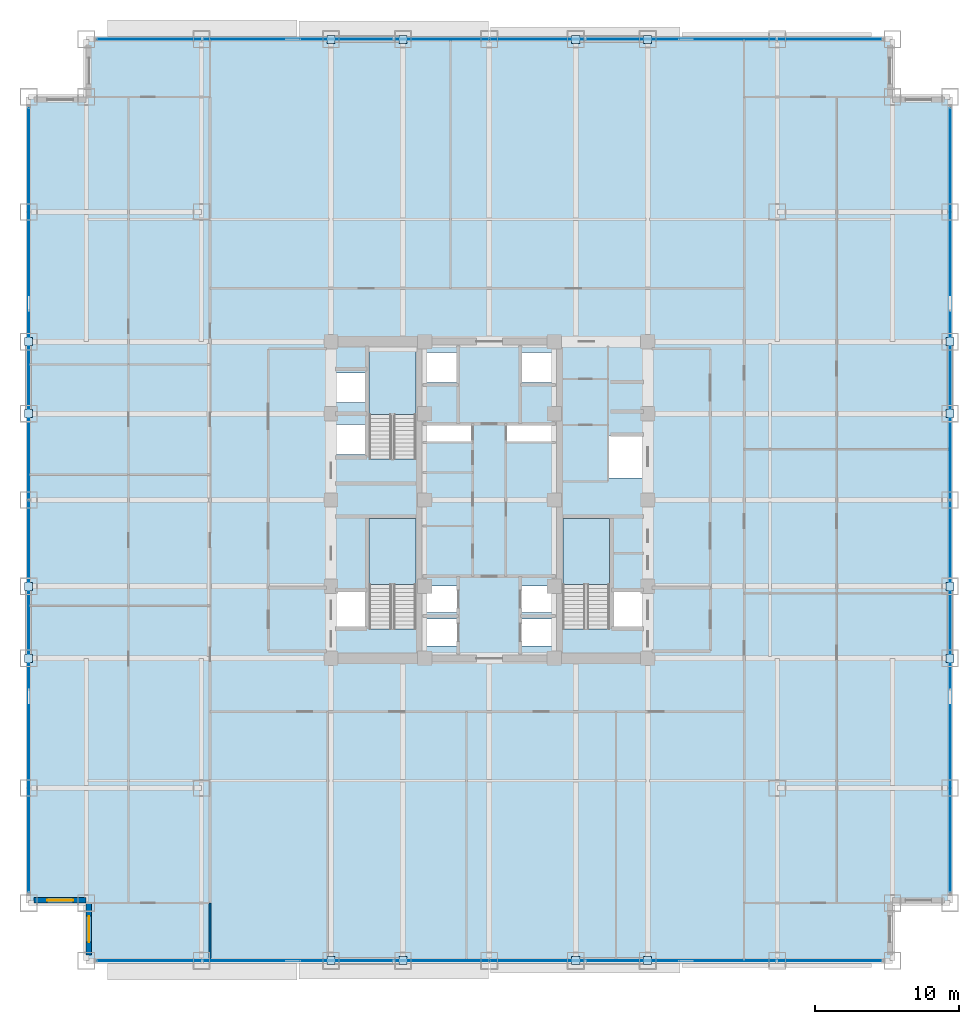
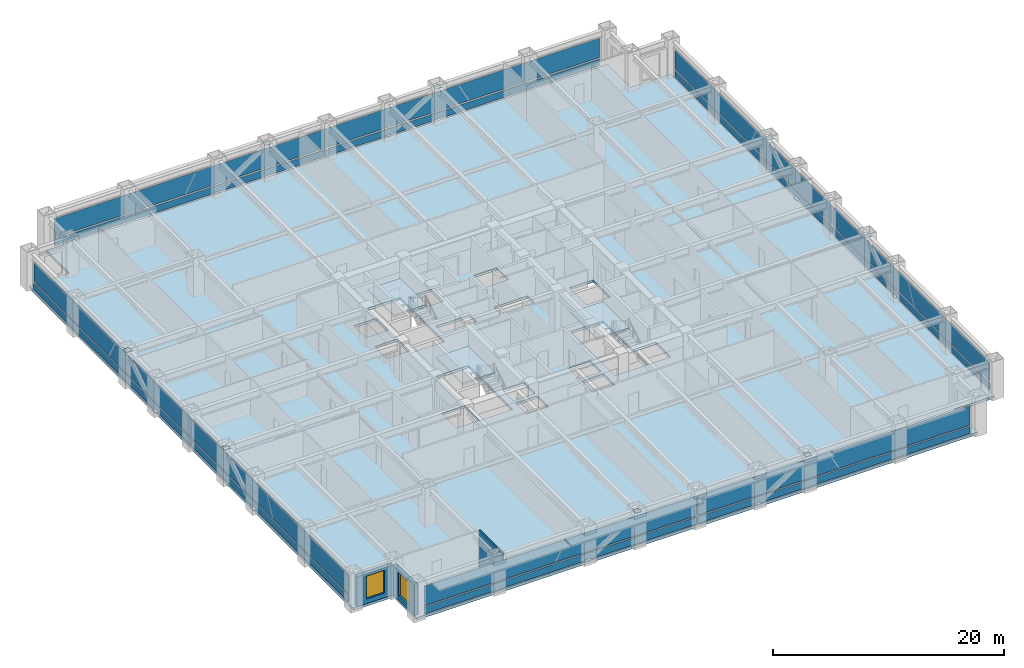
# One storey, part 22 of 32: 32 plates, 4 slabs, 3 walls, 2 windows, 2 openings, 7 elements without a shape of their own.
"""IFC4 building model written with IfcOpenShell, lengths in metres."""

from ifc_helpers import new_model, si_unit, direction, frame, frame_2d, origin, origin_2d, place, context, subcontext, project, spatial, polyline, rectangle, outline, extrude, source, transform, mapped, material, layer, layer_set, type_object, element, fill, aggregate, save


model = new_model("IFC4")

# Units and contexts
model_context = context("Model", 3, precision=1e-05, world=origin(), true_north=direction((0.0, 1.0)))
body_context = subcontext(model_context, "Body", "Model", "MODEL_VIEW")
ifc_project = project(units=[si_unit("LENGTHUNIT", "METRE"), si_unit("AREAUNIT", "SQUARE_METRE"), si_unit("VOLUMEUNIT", "CUBIC_METRE"), si_unit("PLANEANGLEUNIT", "RADIAN"), si_unit("MASSUNIT", "GRAM", prefix="KILO")], contexts=[model_context])

# Site, building, storey
site_placement = place(None, origin())
site = spatial("IfcSite", under=ifc_project, at=site_placement, CompositionType="ELEMENT")
building_placement = place(site_placement, origin())
building = spatial("IfcBuilding", under=site, at=building_placement, Name="Khorayat Bourse Tower", CompositionType="ELEMENT")
storey_placement = place(building_placement, frame((0.0, 0.0, 136.5)))
storey = spatial("IfcBuildingStorey", under=building, at=storey_placement, Name="L31", CompositionType="ELEMENT", Elevation=136.5)

# Stair, slab
ifc_material_1 = material(Name="Concrete C40/50", Category="concrete")
stair_type = type_object("IfcStairType", Name="STR-CORE-1550", PredefinedType="HALF_TURN_STAIR", material=ifc_material_1)
stair_1_placement = place(storey_placement, origin())
stair_1 = element("IfcStair", 1, at=stair_1_placement, inside=storey, type_object=stair_type, Name="L31 Exit Stair ST-1", PredefinedType="HALF_TURN_STAIR")
ifc_layer_1 = layer(ifc_material_1, 0.199951171875)
ifc_layer_set_1 = layer_set([ifc_layer_1], Name="Concrete C40/50")
slab_type_1 = type_object("IfcSlabType", Name="SLB-LANDING-200", PredefinedType="LANDING", material=ifc_layer_set_1)
slab_1_placement = place(storey_placement, frame((0.0, 0.0, 1.85009765625)))
slab_1 = element("IfcSlab", 2, at=slab_1_placement, type_object=slab_type_1, Name="ST-1 landing 1", PredefinedType="LANDING", context=body_context, shape_type="SweptSolid", body=[
    extrude(outline(polyline([(-5.10009765625, -5.8701171875), (-5.10009765625, -1.300048828125), (-8.35009765625, -1.300048828125), (-8.35009765625, -5.8701171875), (-5.10009765625, -5.8701171875)])), origin(), (0.0, 0.0, 1.0), 0.199951171875),
])
aggregate(stair_1, [slab_1])

stair_2_placement = place(storey_placement, origin())
stair_2 = element("IfcStair", 3, at=stair_2_placement, inside=storey, type_object=stair_type, Name="L31 Exit Stair ST-2", PredefinedType="HALF_TURN_STAIR")
slab_2_placement = place(storey_placement, frame((0.0, 0.0, 1.85009765625)))
slab_2 = element("IfcSlab", 4, at=slab_2_placement, type_object=slab_type_1, Name="ST-2 landing 1", PredefinedType="LANDING", context=body_context, shape_type="SweptSolid", body=[
    extrude(outline(polyline([(-5.10009765625, 5.929931640625), (-5.10009765625, 10.5), (-8.35009765625, 10.5), (-8.35009765625, 5.929931640625), (-5.10009765625, 5.929931640625)])), origin(), (0.0, 0.0, 1.0), 0.199951171875),
])
aggregate(stair_2, [slab_2])

stair_3_placement = place(storey_placement, origin())
stair_3 = element("IfcStair", 5, at=stair_3_placement, inside=storey, type_object=stair_type, Name="L31 Exit Stair ST-3", PredefinedType="HALF_TURN_STAIR")
slab_3_placement = place(storey_placement, frame((0.0, 0.0, 1.85009765625)))
slab_3 = element("IfcSlab", 6, at=slab_3_placement, type_object=slab_type_1, Name="ST-3 landing 1", PredefinedType="LANDING", context=body_context, shape_type="SweptSolid", body=[
    extrude(outline(polyline([(8.35009765625, -5.8701171875), (8.35009765625, -1.300048828125), (5.10009765625, -1.300048828125), (5.10009765625, -5.8701171875), (8.35009765625, -5.8701171875)])), origin(), (0.0, 0.0, 1.0), 0.199951171875),
])
aggregate(stair_3, [slab_3])

# Slab
ifc_layer_2 = layer(ifc_material_1, 0.260009765625)
ifc_layer_set_2 = layer_set([ifc_layer_2], Name="Concrete C40/50")
slab_type_2 = type_object("IfcSlabType", Name="SLB-TRADE-260", PredefinedType="FLOOR", material=ifc_layer_set_2)
slab_4_placement = place(storey_placement, frame((0.0, 0.0, -0.260009765625)))
element("IfcSlab", 7, at=slab_4_placement, inside=storey, type_object=slab_type_2, Name="L31 Main Floor Slab", PredefinedType="FLOOR", context=body_context, shape_type="SweptSolid", body=[
    extrude(outline(polyline([(-28.0, -32.0), (28.0, -32.0), (28.0, -28.0), (32.0, -28.0), (32.0, 28.0), (28.0, 28.0), (28.0, 32.0), (-28.0, 32.0), (-28.0, 28.0), (-32.0, 28.0), (-32.0, -28.0), (-28.0, -28.0), (-28.0, -32.0)]), holes=[polyline([(-8.35009765625, -8.945068359375), (-5.10009765625, -8.945068359375), (-5.10009765625, -1.300048828125), (-8.35009765625, -1.300048828125), (-8.35009765625, -8.945068359375)]), polyline([(-8.35009765625, 2.85498046875), (-5.10009765625, 2.85498046875), (-5.10009765625, 10.5), (-8.35009765625, 10.5), (-8.35009765625, 2.85498046875)]), polyline([(5.10009765625, -8.945068359375), (8.35009765625, -8.945068359375), (8.35009765625, -1.300048828125), (5.10009765625, -1.300048828125), (5.10009765625, -8.945068359375)]), polyline([(-4.3798828125, -10.1298828125), (-2.219970703125, -10.1298828125), (-2.219970703125, -8.27001953125), (-4.3798828125, -8.27001953125), (-4.3798828125, -10.1298828125)]), polyline([(2.219970703125, -10.1298828125), (4.3798828125, -10.1298828125), (4.3798828125, -8.27001953125), (2.219970703125, -8.27001953125), (2.219970703125, -10.1298828125)]), polyline([(-4.3798828125, -7.830078125), (-2.219970703125, -7.830078125), (-2.219970703125, -5.969970703125), (-4.3798828125, -5.969970703125), (-4.3798828125, -7.830078125)]), polyline([(2.219970703125, -7.830078125), (4.3798828125, -7.830078125), (4.3798828125, -5.969970703125), (2.219970703125, -5.969970703125), (2.219970703125, -7.830078125)]), polyline([(-4.3798828125, 8.169921875), (-2.1201171875, 8.169921875), (-2.1201171875, 10.22998046875), (-4.3798828125, 10.22998046875), (-4.3798828125, 8.169921875)]), polyline([(2.1201171875, 8.169921875), (4.3798828125, 8.169921875), (4.3798828125, 10.22998046875), (2.1201171875, 10.22998046875), (2.1201171875, 8.169921875)]), polyline([(-10.679931640625, 3.169921875), (-8.419921875, 3.169921875), (-8.419921875, 5.22998046875), (-10.679931640625, 5.22998046875), (-10.679931640625, 3.169921875)]), polyline([(-10.679931640625, 6.77001953125), (-8.419921875, 6.77001953125), (-8.419921875, 8.830078125), (-10.679931640625, 8.830078125), (-10.679931640625, 6.77001953125)]), polyline([(-10.679931640625, -8.929931640625), (-8.419921875, -8.929931640625), (-8.419921875, -6.3701171875), (-10.679931640625, -6.3701171875), (-10.679931640625, -8.929931640625)]), polyline([(8.419921875, -8.929931640625), (10.679931640625, -8.929931640625), (10.679931640625, -6.3701171875), (8.419921875, -6.3701171875), (8.419921875, -8.929931640625)]), polyline([(8.320068359375, 1.52001953125), (10.679931640625, 1.52001953125), (10.679931640625, 4.47998046875), (8.320068359375, 4.47998046875), (8.320068359375, 1.52001953125)]), polyline([(-4.56005859375, 4.080078125), (-1.18994140625, 4.080078125), (-1.18994140625, 5.219970703125), (-4.56005859375, 5.219970703125), (-4.56005859375, 4.080078125)]), polyline([(1.18994140625, 4.080078125), (4.56005859375, 4.080078125), (4.56005859375, 5.219970703125), (1.18994140625, 5.219970703125), (1.18994140625, 4.080078125)])]), origin(), (0.0, 0.0, 1.0), 0.260009765625),
])

# Plates
ifc_material_2 = material(Name="Steel EN 10025-2 S355J2", Category="steel")
ifc_layer_3 = layer(ifc_material_2, 0.02490234375)
ifc_layer_set_3 = layer_set([ifc_layer_3], Name="Steel EN 10025-2 S355J2")
plate_type_1 = type_object("IfcPlateType", Name="PLT-ENDCAP-25", PredefinedType="SHEET", material=ifc_layer_set_3)
shared_shape_1 = source(origin(), body_context, "Body", "SweptSolid", [
    extrude(rectangle(XDim=0.56005859375, YDim=0.56005859375, at=origin_2d()), origin(), (0.0, 0.0, 1.0), 0.02490234375),
])
for number, where, z_axis, x_axis, name in (
    (8, (-11.0, -32.0, 0.237548828125), (0.0, 0.0, 1.0), (1.0, 0.0, 0.0), "L31 Perimeter Brace End Plate 001"),
    (9, (-6.0, -32.0, 3.57763671875), (0.0, 0.0, 1.0), (1.0, 0.0, 0.0), "L31 Perimeter Brace End Plate 002"),
    (10, (6.0, -32.0, 0.237548828125), (0.0, 0.0, 1.0), (1.0, 0.0, 0.0), "L31 Perimeter Brace End Plate 003"),
    (11, (11.0, -32.0, 3.57763671875), (0.0, 0.0, 1.0), (1.0, 0.0, 0.0), "L31 Perimeter Brace End Plate 004"),
    (12, (-11.0, 32.0, 0.237548828125), (0.0, 0.0, 1.0), (1.0, 0.0, 0.0), "L31 Perimeter Brace End Plate 005"),
    (13, (-6.0, 32.0, 3.57763671875), (0.0, 0.0, 1.0), (1.0, 0.0, 0.0), "L31 Perimeter Brace End Plate 006"),
    (14, (6.0, 32.0, 0.237548828125), (0.0, 0.0, 1.0), (1.0, 0.0, 0.0), "L31 Perimeter Brace End Plate 007"),
    (15, (11.0, 32.0, 3.57763671875), (0.0, 0.0, 1.0), (1.0, 0.0, 0.0), "L31 Perimeter Brace End Plate 008"),
    (16, (-32.0, -11.0, 0.237548828125), (0.0, 0.0, 1.0), (1.0, 0.0, 0.0), "L31 Perimeter Brace End Plate 009"),
    (17, (-32.0, -6.0, 3.57763671875), (0.0, 0.0, 1.0), (1.0, 0.0, 0.0), "L31 Perimeter Brace End Plate 010"),
    (18, (-32.0, 6.0, 0.237548828125), (0.0, 0.0, 1.0), (1.0, 0.0, 0.0), "L31 Perimeter Brace End Plate 011"),
    (19, (-32.0, 11.0, 3.57763671875), (0.0, 0.0, 1.0), (1.0, 0.0, 0.0), "L31 Perimeter Brace End Plate 012"),
    (20, (32.0, -11.0, 0.237548828125), (0.0, 0.0, 1.0), (1.0, 0.0, 0.0), "L31 Perimeter Brace End Plate 013"),
    (21, (32.0, -6.0, 3.57763671875), (0.0, 0.0, 1.0), (1.0, 0.0, 0.0), "L31 Perimeter Brace End Plate 014"),
    (22, (32.0, 6.0, 0.237548828125), (0.0, 0.0, 1.0), (1.0, 0.0, 0.0), "L31 Perimeter Brace End Plate 015"),
    (23, (32.0, 11.0, 3.57763671875), (0.0, 0.0, 1.0), (1.0, 0.0, 0.0), "L31 Perimeter Brace End Plate 016"),
):
    element("IfcPlate", number, at=place(storey_placement, frame(where, z_axis=z_axis, x_axis=x_axis)), inside=storey, type_object=plate_type_1, Name=name, PredefinedType="SHEET", context=body_context, shape_type="MappedRepresentation", body=[
        mapped(shared_shape_1, transform((0.0, 0.0, 0.0), scale=1.0)),
    ])

# Curtain wall, plates
ifc_material_3 = material(Name="Aluminium EN AW-6063 T6", Category="aluminium")
curtain_wall_type = type_object("IfcCurtainWallType", Name="CW-SYS-02", PredefinedType="NOTDEFINED", material=ifc_material_3)
curtain_wall_1_placement = place(storey_placement, origin())
curtain_wall_1 = element("IfcCurtainWall", 24, at=curtain_wall_1_placement, inside=storey, type_object=curtain_wall_type, Name="L31 Curtain Wall CW-L31-S1", PredefinedType="NOTDEFINED")
ifc_material_4 = material(Name="Honed desert limestone insulated spandrel", Category="masonry")
ifc_layer_4 = layer(ifc_material_4, 0.06494140625)
ifc_layer_set_4 = layer_set([ifc_layer_4], Name="Honed desert limestone insulated spandrel")
plate_type_2 = type_object("IfcPlateType", Name="CWP-SPAND-03", PredefinedType="CURTAIN_PANEL", material=ifc_layer_set_4)
shared_shape_2 = source(origin(), body_context, "Body", "SweptSolid", [
    extrude(rectangle(XDim=27.139892578125, YDim=0.06494140625, at=origin_2d()), origin(), (0.0, 0.0, 1.0), 0.739990234375),
])
plate_1_placement = place(storey_placement, frame((-13.639892578125, -32.0, 0.14013671875), z_axis=(0.0, 0.0, 1.0), x_axis=(1.0, 0.0, 0.0)))
plate_1 = element("IfcPlate", 25, at=plate_1_placement, type_object=plate_type_2, Name="CW-L31-S1 Spandrel Panel 1-1", PredefinedType="CURTAIN_PANEL", context=body_context, shape_type="MappedRepresentation", body=[
    mapped(shared_shape_2, transform((0.0, 0.0, 0.0), scale=1.0)),
])
plate_2_placement = place(storey_placement, frame((13.639892578125, -32.0, 0.14013671875), z_axis=(0.0, 0.0, 1.0), x_axis=(1.0, 0.0, 0.0)))
plate_2 = element("IfcPlate", 26, at=plate_2_placement, type_object=plate_type_2, Name="CW-L31-S1 Spandrel Panel 2-1", PredefinedType="CURTAIN_PANEL", context=body_context, shape_type="MappedRepresentation", body=[
    mapped(shared_shape_2, transform((0.0, 0.0, 0.0), scale=1.0)),
])

curtain_wall_2_placement = place(storey_placement, origin())
curtain_wall_2 = element("IfcCurtainWall", 27, at=curtain_wall_2_placement, inside=storey, type_object=curtain_wall_type, Name="L31 Curtain Wall CW-L31-N1", PredefinedType="NOTDEFINED")
plate_3_placement = place(storey_placement, frame((-13.639892578125, 32.0, 0.14013671875), z_axis=(0.0, 0.0, 1.0), x_axis=(1.0, 0.0, 0.0)))
plate_3 = element("IfcPlate", 28, at=plate_3_placement, type_object=plate_type_2, Name="CW-L31-N1 Spandrel Panel 1-1", PredefinedType="CURTAIN_PANEL", context=body_context, shape_type="MappedRepresentation", body=[
    mapped(shared_shape_2, transform((0.0, 0.0, 0.0), scale=1.0)),
])
plate_4_placement = place(storey_placement, frame((13.639892578125, 32.0, 0.14013671875), z_axis=(0.0, 0.0, 1.0), x_axis=(1.0, 0.0, 0.0)))
plate_4 = element("IfcPlate", 29, at=plate_4_placement, type_object=plate_type_2, Name="CW-L31-N1 Spandrel Panel 2-1", PredefinedType="CURTAIN_PANEL", context=body_context, shape_type="MappedRepresentation", body=[
    mapped(shared_shape_2, transform((0.0, 0.0, 0.0), scale=1.0)),
])

curtain_wall_3_placement = place(storey_placement, origin())
curtain_wall_3 = element("IfcCurtainWall", 30, at=curtain_wall_3_placement, inside=storey, type_object=curtain_wall_type, Name="L31 Curtain Wall CW-L31-W1", PredefinedType="NOTDEFINED")
plate_5_placement = place(storey_placement, frame((-32.0, -13.639892578125, 0.14013671875), z_axis=(0.0, 0.0, 1.0), x_axis=(0.0, 1.0, 0.0)))
plate_5 = element("IfcPlate", 31, at=plate_5_placement, type_object=plate_type_2, Name="CW-L31-W1 Spandrel Panel 1-1", PredefinedType="CURTAIN_PANEL", context=body_context, shape_type="MappedRepresentation", body=[
    mapped(shared_shape_2, transform((0.0, 0.0, 0.0), scale=1.0)),
])
plate_6_placement = place(storey_placement, frame((-32.0, 13.639892578125, 0.14013671875), z_axis=(0.0, 0.0, 1.0), x_axis=(0.0, 1.0, 0.0)))
plate_6 = element("IfcPlate", 32, at=plate_6_placement, type_object=plate_type_2, Name="CW-L31-W1 Spandrel Panel 2-1", PredefinedType="CURTAIN_PANEL", context=body_context, shape_type="MappedRepresentation", body=[
    mapped(shared_shape_2, transform((0.0, 0.0, 0.0), scale=1.0)),
])

curtain_wall_4_placement = place(storey_placement, origin())
curtain_wall_4 = element("IfcCurtainWall", 33, at=curtain_wall_4_placement, inside=storey, type_object=curtain_wall_type, Name="L31 Curtain Wall CW-L31-E1", PredefinedType="NOTDEFINED")
plate_7_placement = place(storey_placement, frame((32.0, -13.639892578125, 0.14013671875), z_axis=(0.0, 0.0, 1.0), x_axis=(0.0, 1.0, 0.0)))
plate_7 = element("IfcPlate", 34, at=plate_7_placement, type_object=plate_type_2, Name="CW-L31-E1 Spandrel Panel 1-1", PredefinedType="CURTAIN_PANEL", context=body_context, shape_type="MappedRepresentation", body=[
    mapped(shared_shape_2, transform((0.0, 0.0, 0.0), scale=1.0)),
])
plate_8_placement = place(storey_placement, frame((32.0, 13.639892578125, 0.14013671875), z_axis=(0.0, 0.0, 1.0), x_axis=(0.0, 1.0, 0.0)))
plate_8 = element("IfcPlate", 35, at=plate_8_placement, type_object=plate_type_2, Name="CW-L31-E1 Spandrel Panel 2-1", PredefinedType="CURTAIN_PANEL", context=body_context, shape_type="MappedRepresentation", body=[
    mapped(shared_shape_2, transform((0.0, 0.0, 0.0), scale=1.0)),
])

# Plate
ifc_material_5 = material(Name="Low-E solar-control laminated double glazing", Category="glass")
ifc_layer_5 = layer(ifc_material_5, 0.0419921875)
ifc_layer_set_5 = layer_set([ifc_layer_5], Name="Low-E solar-control laminated double glazing")
plate_type_3 = type_object("IfcPlateType", Name="CWP-FACET-02", PredefinedType="CURTAIN_PANEL", material=ifc_layer_set_5)
shared_shape_3 = source(origin(), body_context, "Body", "SweptSolid", [
    extrude(rectangle(XDim=27.139892578125, YDim=0.0419921875, at=origin_2d()), origin(), (0.0, 0.0, 1.0), 2.030029296875),
])
plate_9_placement = place(storey_placement, frame((-13.639892578125, -32.0, 1.02001953125), z_axis=(0.0, 0.0, 1.0), x_axis=(1.0, 0.0, 0.0)))
plate_9 = element("IfcPlate", 36, at=plate_9_placement, type_object=plate_type_3, Name="CW-L31-S1 Vision Panel 1-2", PredefinedType="CURTAIN_PANEL", context=body_context, shape_type="MappedRepresentation", body=[
    mapped(shared_shape_3, transform((0.0, 0.0, 0.0), scale=1.0)),
])

plate_10_placement = place(storey_placement, frame((13.639892578125, -32.0, 1.02001953125), z_axis=(0.0, 0.0, 1.0), x_axis=(1.0, 0.0, 0.0)))
plate_10 = element("IfcPlate", 37, at=plate_10_placement, type_object=plate_type_3, Name="CW-L31-S1 Vision Panel 2-2", PredefinedType="CURTAIN_PANEL", context=body_context, shape_type="MappedRepresentation", body=[
    mapped(shared_shape_3, transform((0.0, 0.0, 0.0), scale=1.0)),
])

aggregate(curtain_wall_1, [plate_1, plate_9, plate_2, plate_10])

plate_11_placement = place(storey_placement, frame((-13.639892578125, 32.0, 1.02001953125), z_axis=(0.0, 0.0, 1.0), x_axis=(1.0, 0.0, 0.0)))
plate_11 = element("IfcPlate", 38, at=plate_11_placement, type_object=plate_type_3, Name="CW-L31-N1 Vision Panel 1-2", PredefinedType="CURTAIN_PANEL", context=body_context, shape_type="MappedRepresentation", body=[
    mapped(shared_shape_3, transform((0.0, 0.0, 0.0), scale=1.0)),
])

plate_12_placement = place(storey_placement, frame((13.639892578125, 32.0, 1.02001953125), z_axis=(0.0, 0.0, 1.0), x_axis=(1.0, 0.0, 0.0)))
plate_12 = element("IfcPlate", 39, at=plate_12_placement, type_object=plate_type_3, Name="CW-L31-N1 Vision Panel 2-2", PredefinedType="CURTAIN_PANEL", context=body_context, shape_type="MappedRepresentation", body=[
    mapped(shared_shape_3, transform((0.0, 0.0, 0.0), scale=1.0)),
])

aggregate(curtain_wall_2, [plate_3, plate_11, plate_4, plate_12])

plate_13_placement = place(storey_placement, frame((-32.0, -13.639892578125, 1.02001953125), z_axis=(0.0, 0.0, 1.0), x_axis=(0.0, 1.0, 0.0)))
plate_13 = element("IfcPlate", 40, at=plate_13_placement, type_object=plate_type_3, Name="CW-L31-W1 Vision Panel 1-2", PredefinedType="CURTAIN_PANEL", context=body_context, shape_type="MappedRepresentation", body=[
    mapped(shared_shape_3, transform((0.0, 0.0, 0.0), scale=1.0)),
])

plate_14_placement = place(storey_placement, frame((-32.0, 13.639892578125, 1.02001953125), z_axis=(0.0, 0.0, 1.0), x_axis=(0.0, 1.0, 0.0)))
plate_14 = element("IfcPlate", 41, at=plate_14_placement, type_object=plate_type_3, Name="CW-L31-W1 Vision Panel 2-2", PredefinedType="CURTAIN_PANEL", context=body_context, shape_type="MappedRepresentation", body=[
    mapped(shared_shape_3, transform((0.0, 0.0, 0.0), scale=1.0)),
])

aggregate(curtain_wall_3, [plate_5, plate_13, plate_6, plate_14])

plate_15_placement = place(storey_placement, frame((32.0, -13.639892578125, 1.02001953125), z_axis=(0.0, 0.0, 1.0), x_axis=(0.0, 1.0, 0.0)))
plate_15 = element("IfcPlate", 42, at=plate_15_placement, type_object=plate_type_3, Name="CW-L31-E1 Vision Panel 1-2", PredefinedType="CURTAIN_PANEL", context=body_context, shape_type="MappedRepresentation", body=[
    mapped(shared_shape_3, transform((0.0, 0.0, 0.0), scale=1.0)),
])

plate_16_placement = place(storey_placement, frame((32.0, 13.639892578125, 1.02001953125), z_axis=(0.0, 0.0, 1.0), x_axis=(0.0, 1.0, 0.0)))
plate_16 = element("IfcPlate", 43, at=plate_16_placement, type_object=plate_type_3, Name="CW-L31-E1 Vision Panel 2-2", PredefinedType="CURTAIN_PANEL", context=body_context, shape_type="MappedRepresentation", body=[
    mapped(shared_shape_3, transform((0.0, 0.0, 0.0), scale=1.0)),
])

aggregate(curtain_wall_4, [plate_7, plate_15, plate_8, plate_16])

# Wall, opening, window
ifc_material_6 = material(Name="Precast concrete C45/55", Category="concrete")
ifc_layer_6 = layer(ifc_material_6, 0.3798828125)
ifc_layer_set_6 = layer_set([ifc_layer_6], Name="Precast concrete C45/55")
wall_type_1 = type_object("IfcWallType", Name="WAL-EXT-STONE-380", PredefinedType="STANDARD", material=ifc_layer_set_6)
shared_shape_4 = source(origin(), body_context, "Body", "SweptSolid", [
    extrude(rectangle(XDim=3.6201171875, YDim=0.3798828125, at=frame_2d((1.81005859375, 0.0))), origin(), (0.0, 0.0, 1.0), 3.14501953125),
])
wall_1_placement = place(storey_placement, frame((-28.0, -27.81005859375, 0.0), z_axis=(0.0, 0.0, 1.0), x_axis=(-1.0, 0.0, 0.0)))
wall_1 = element("IfcWall", 44, at=wall_1_placement, inside=storey, type_object=wall_type_1, Name="L31 Re-Entrant Notch Limestone Wall SW-H", PredefinedType="STANDARD", context=body_context, shape_type="MappedRepresentation", body=[
    mapped(shared_shape_4, transform((0.0, 0.0, 0.0), scale=1.0)),
])
shared_shape_5 = source(origin(), body_context, "Body", "SweptSolid", [
    extrude(rectangle(XDim=1.800048828125, YDim=2.39990234375, at=frame_2d((0.89990234375, 1.199951171875))), frame((0.0, 0.199951171875, 0.0), z_axis=(0.0, -1.0, 0.0), x_axis=(1.0, 0.0, 0.0)), (0.0, 0.0, 1.0), 0.39990234375),
])
opening_1_placement = place(wall_1_placement, frame((0.909912109375, 0.0, 0.5)))
opening_1 = element("IfcOpeningElement", 45, at=opening_1_placement, cuts=wall_1, Name="Opening WN-04", PredefinedType="OPENING", context=body_context, shape_type="MappedRepresentation", body=[
    mapped(shared_shape_5, transform((0.0, 0.0, 0.0), scale=1.0)),
])
ifc_material_7 = material(Name="Low-E acoustic laminated double glazing", Category="glass")
window_type = type_object("IfcWindowType", Name="WIN-NOTCH-1800x2400", PartitioningType="SINGLE_PANEL", PredefinedType="WINDOW", material=ifc_material_7)
shared_shape_6 = source(origin(), body_context, "Body", "SweptSolid", [
    extrude(rectangle(XDim=1.800048828125, YDim=2.39990234375, at=frame_2d((0.89990234375, 1.199951171875))), frame((0.0, 0.030029296875, 0.0), z_axis=(0.0, -1.0, 0.0), x_axis=(1.0, 0.0, 0.0)), (0.0, 0.0, 1.0), 0.06005859375),
])
window_1_placement = place(opening_1_placement, origin())
window_1 = element("IfcWindow", 46, at=window_1_placement, inside=storey, type_object=window_type, Name="L31 Facade Window 1", OverallHeight=2.39990234375, OverallWidth=1.800048828125, PartitioningType="SINGLE_PANEL", PredefinedType="WINDOW", context=body_context, shape_type="MappedRepresentation", body=[
    mapped(shared_shape_6, transform((0.0, 0.0, 0.0), scale=1.0)),
])
fill(opening_1, window_1)

wall_2_placement = place(storey_placement, frame((-27.81005859375, -31.6201171875, 0.0), z_axis=(0.0, 0.0, 1.0), x_axis=(0.0, 1.0, 0.0)))
wall_2 = element("IfcWall", 47, at=wall_2_placement, inside=storey, type_object=wall_type_1, Name="L31 Re-Entrant Notch Limestone Wall SW-V", PredefinedType="STANDARD", context=body_context, shape_type="MappedRepresentation", body=[
    mapped(shared_shape_4, transform((0.0, 0.0, 0.0), scale=1.0)),
])
opening_2_placement = place(wall_2_placement, frame((0.909912109375, 0.0, 0.5)))
opening_2 = element("IfcOpeningElement", 48, at=opening_2_placement, cuts=wall_2, Name="Opening WN-04", PredefinedType="OPENING", context=body_context, shape_type="MappedRepresentation", body=[
    mapped(shared_shape_5, transform((0.0, 0.0, 0.0), scale=1.0)),
])
window_2_placement = place(opening_2_placement, origin())
window_2 = element("IfcWindow", 49, at=window_2_placement, inside=storey, type_object=window_type, Name="L31 Facade Window 1", OverallHeight=2.39990234375, OverallWidth=1.800048828125, PartitioningType="SINGLE_PANEL", PredefinedType="WINDOW", context=body_context, shape_type="MappedRepresentation", body=[
    mapped(shared_shape_6, transform((0.0, 0.0, 0.0), scale=1.0)),
])
fill(opening_2, window_2)

# Wall
ifc_material_8 = material(Name="Gypsum plasterboard twin-frame partition")
ifc_layer_7 = layer(ifc_material_8, 0.14990234375)
ifc_layer_set_7 = layer_set([ifc_layer_7], Name="Gypsum plasterboard twin-frame partition")
wall_type_2 = type_object("IfcWallType", Name="WAL-PART-SUITE-150", PredefinedType="PARTITIONING", material=ifc_layer_set_7)
shared_shape_7 = source(origin(), body_context, "Body", "SweptSolid", [
    extrude(rectangle(XDim=4.0, YDim=0.14990234375, at=frame_2d((2.0, 0.0))), origin(), (0.0, 0.0, 1.0), 3.840087890625),
])
wall_3_placement = place(storey_placement, frame((-19.39990234375, -32.0, 0.0), z_axis=(0.0, 0.0, 1.0), x_axis=(0.0, 1.0, 0.0)))
element("IfcWall", 50, at=wall_3_placement, inside=storey, type_object=wall_type_2, Name="L31 Partition WAL-L31-SCW-END", PredefinedType="PARTITIONING", context=body_context, shape_type="MappedRepresentation", body=[
    mapped(shared_shape_7, transform((0.0, 0.0, 0.0), scale=1.0)),
])

save(model, "model.ifc")
